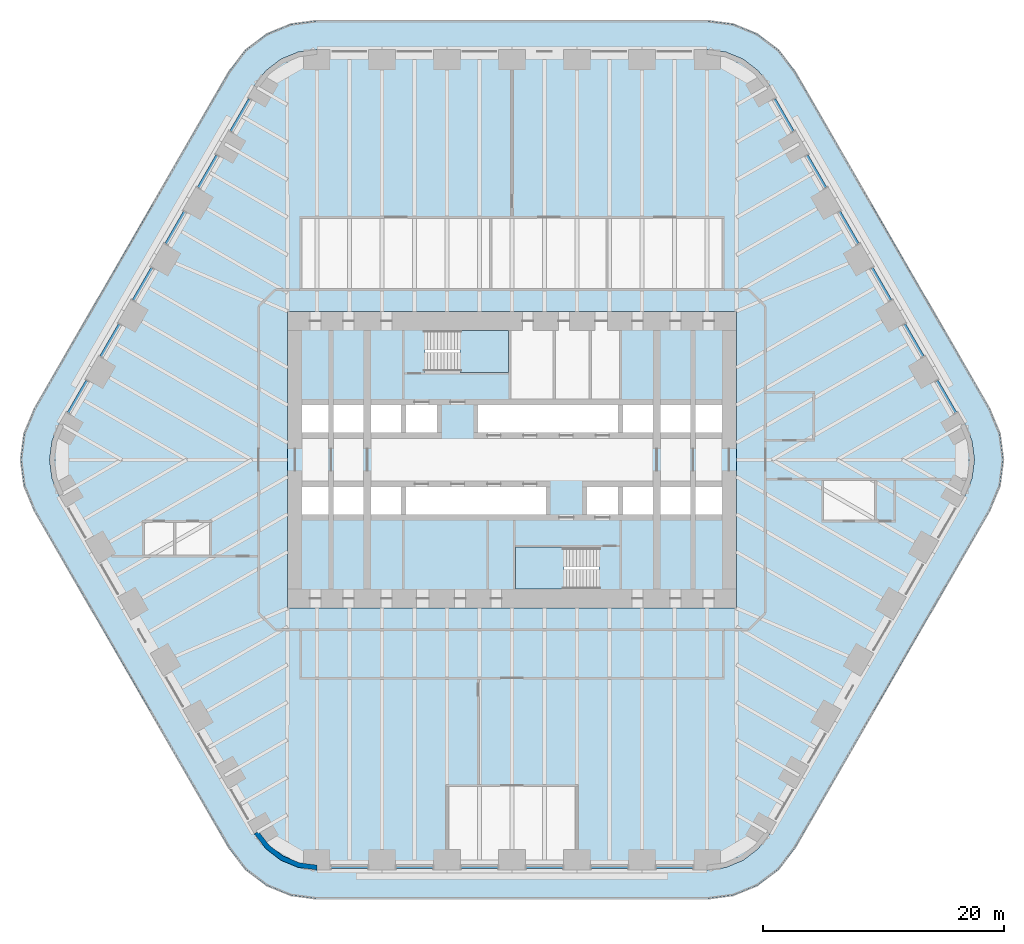
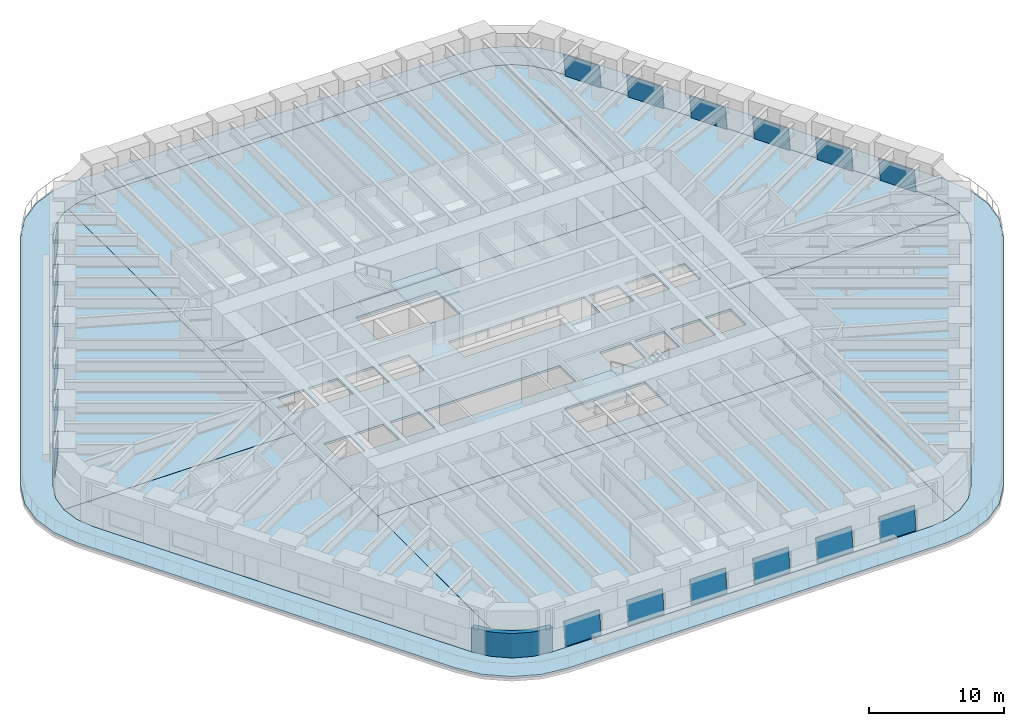
# One storey, part 8 of 16: 18 plates, 10 slabs, 1 wall, 20 elements without a shape of their own.
"""IFC4 building model written with IfcOpenShell, lengths in metres."""

from ifc_helpers import new_model, si_unit, direction, frame, origin, place, context, subcontext, project, spatial, polyline, outline, extrude, material, layer, layer_set, type_object, element, aggregate, save


model = new_model("IFC4")

# Units and contexts
model_context = context("Model", 3, precision=1e-05, world=origin(), true_north=direction((0.0, 1.0)))
body_context = subcontext(model_context, "Body", "Model", "MODEL_VIEW")
ifc_project = project(units=[si_unit("LENGTHUNIT", "METRE"), si_unit("AREAUNIT", "SQUARE_METRE"), si_unit("VOLUMEUNIT", "CUBIC_METRE"), si_unit("PLANEANGLEUNIT", "RADIAN"), si_unit("MASSUNIT", "GRAM", prefix="KILO")], contexts=[model_context])

# Site, building, storey
site_placement = place(None, origin())
site = spatial("IfcSite", under=ifc_project, at=site_placement, CompositionType="ELEMENT")
building_placement = place(site_placement, origin())
building = spatial("IfcBuilding", under=site, at=building_placement, Name="Tarfa Lantern Tower", CompositionType="ELEMENT")
storey_placement = place(building_placement, frame((0.0, 0.0, 103.300048828125)))
storey = spatial("IfcBuildingStorey", under=building, at=storey_placement, Name="L23", CompositionType="ELEMENT", Elevation=103.300048828125)

# Slab
ifc_material_1 = material(Name="Concrete C40/50", Category="concrete")
ifc_layer_1 = layer(ifc_material_1, 0.199951171875)
ifc_layer_set_1 = layer_set([ifc_layer_1], Name="BS2 BALCONY SLAB 200")
slab_type_1 = type_object("IfcSlabType", Name="BS2 BALCONY SLAB 200", PredefinedType="FLOOR", material=ifc_layer_set_1)
slab_1_placement = place(storey_placement, frame((0.0, 0.0, -0.199951171875)))
element("IfcSlab", 1, at=slab_1_placement, inside=storey, type_object=slab_type_1, Name="Balcony L23", PredefinedType="FLOOR", context=body_context, shape_type="SweptSolid", body=[
    extrude(outline(polyline([(39.606201171875, 4.199951171875), (23.4404296875, 32.199951171875), (22.10546875, 33.939697265625), (20.36572265625, 35.274658203125), (18.33984375, 36.11376953125), (16.165771484375, 36.39990234375), (-16.165771484375, 36.39990234375), (-18.33984375, 36.11376953125), (-20.36572265625, 35.274658203125), (-22.10546875, 33.939697265625), (-23.4404296875, 32.199951171875), (-39.606201171875, 4.199951171875), (-40.4453125, 2.174072265625), (-40.731689453125, 0.0), (-40.4453125, -2.174072265625), (-39.606201171875, -4.199951171875), (-23.4404296875, -32.199951171875), (-22.10546875, -33.939697265625), (-20.36572265625, -35.274658203125), (-18.33984375, -36.11376953125), (-16.165771484375, -36.39990234375), (16.165771484375, -36.39990234375), (18.33984375, -36.11376953125), (20.36572265625, -35.274658203125), (22.10546875, -33.939697265625), (23.4404296875, -32.199951171875), (39.606201171875, -4.199951171875), (40.4453125, -2.174072265625), (40.731689453125, 0.0), (40.4453125, 2.174072265625), (39.606201171875, 4.199951171875)]), holes=[polyline([(37.52783203125, 3.0), (21.362060546875, 31.0), (20.408447265625, 32.24267578125), (19.165771484375, 33.196044921875), (17.71875, 33.795654296875), (16.165771484375, 34.0), (-16.165771484375, 34.0), (-17.71875, 33.795654296875), (-19.165771484375, 33.196044921875), (-20.408447265625, 32.24267578125), (-21.362060546875, 31.0), (-37.52783203125, 3.0), (-38.127197265625, 1.552978515625), (-38.33154296875, 0.0), (-38.127197265625, -1.552978515625), (-37.52783203125, -3.0), (-21.362060546875, -31.0), (-20.408447265625, -32.24267578125), (-19.165771484375, -33.196044921875), (-17.71875, -33.795654296875), (-16.165771484375, -34.0), (16.165771484375, -34.0), (17.71875, -33.795654296875), (19.165771484375, -33.196044921875), (20.408447265625, -32.24267578125), (21.362060546875, -31.0), (37.52783203125, -3.0), (38.127197265625, -1.552978515625), (38.33154296875, 0.0), (38.127197265625, 1.552978515625), (37.52783203125, 3.0)])]), origin(), (0.0, 0.0, 1.0), 0.199951171875),
])

# Curtain wall, plate
ifc_material_2 = material(Name="Aluminium framed curtain wall", Category="aluminium")
curtain_wall_type = type_object("IfcCurtainWallType", Name="CW1 CANTED GLAZING LOW ZONE 2200", PredefinedType="USERDEFINED", material=ifc_material_2)
curtain_wall_1_placement = place(storey_placement, origin())
curtain_wall_1 = element("IfcCurtainWall", 2, at=curtain_wall_1_placement, inside=storey, type_object=curtain_wall_type, Name="CW1 NE L23", ObjectType="CURTAIN WALL", PredefinedType="USERDEFINED")
ifc_material_3 = material(Name="Laminated double glazing", Category="glass")
ifc_layer_2 = layer(ifc_material_3, 0.028076171875)
ifc_layer_set_2 = layer_set([ifc_layer_2], Name="CWP1 DOUBLE GLAZED PANEL")
plate_type = type_object("IfcPlateType", Name="CWP1 DOUBLE GLAZED PANEL", PredefinedType="CURTAIN_PANEL", material=ifc_layer_set_2)
plate_1_placement = place(storey_placement, frame((36.858642578125, 3.958984375, 0.0), z_axis=(0.860471770841, 0.496819538441, 0.112954317358), x_axis=(-0.500019572571, 0.86601410326, 0.0)))
plate_1 = element("IfcPlate", 3, at=plate_1_placement, type_object=plate_type, Name="CW1 panel 1.1", PredefinedType="CURTAIN_PANEL", context=body_context, shape_type="SweptSolid", body=[
    extrude(outline(polyline([(0.0, 0.0), (3.05847402559981, -2.7755575615628914e-17), (3.058500354375016, 2.148761447250899), (2.6328775205405885e-05, 2.148761447250899), (0.0, 0.0)])), origin(), (0.0, 0.0, -1.0), 0.028076171875),
])
aggregate(curtain_wall_1, [plate_1])

curtain_wall_2_placement = place(storey_placement, origin())
curtain_wall_2 = element("IfcCurtainWall", 4, at=curtain_wall_2_placement, inside=storey, type_object=curtain_wall_type, Name="CW1 NE L23", ObjectType="CURTAIN WALL", PredefinedType="USERDEFINED")
plate_2_placement = place(storey_placement, frame((34.164306640625, 8.62548828125, 0.0), z_axis=(0.86049400314, 0.496809478379, 0.112829130785), x_axis=(-0.500002070145, 0.86602420858, -2.237105e-06)))
plate_2 = element("IfcPlate", 5, at=plate_2_placement, type_object=plate_type, Name="CW1 panel 1.1", PredefinedType="CURTAIN_PANEL", context=body_context, shape_type="SweptSolid", body=[
    extrude(outline(polyline([(0.0, 0.0), (3.0586854566590844, -2.7755575615628914e-17), (3.0585800331185125, 2.148737574367633), (0.00010600815097635622, 2.148723801693329), (0.0, 0.0)])), origin(), (0.0, 0.0, -1.0), 0.028076171875),
])
aggregate(curtain_wall_2, [plate_2])

curtain_wall_3_placement = place(storey_placement, origin())
curtain_wall_3 = element("IfcCurtainWall", 6, at=curtain_wall_3_placement, inside=storey, type_object=curtain_wall_type, Name="CW1 NE L23", ObjectType="CURTAIN WALL", PredefinedType="USERDEFINED")
plate_3_placement = place(storey_placement, frame((31.469970703125, 13.292236328125, 0.0), z_axis=(0.860501158586, 0.496790714966, 0.112857173439), x_axis=(-0.499985008713, 0.866034058835, 0.0)))
plate_3 = element("IfcPlate", 7, at=plate_3_placement, type_object=plate_type, Name="CW1 panel 1.1", PredefinedType="CURTAIN_PANEL", context=body_context, shape_type="SweptSolid", body=[
    extrude(outline(polyline([(0.0, 0.0), (3.0586854572603066, 2.7755575615628914e-17), (3.058580032517311, 2.148737575223402), (-0.00010542474299522714, 2.148737575223402), (0.0, 0.0)])), origin(), (0.0, 0.0, -1.0), 0.028076171875),
])
aggregate(curtain_wall_3, [plate_3])

curtain_wall_4_placement = place(storey_placement, origin())
curtain_wall_4 = element("IfcCurtainWall", 8, at=curtain_wall_4_placement, inside=storey, type_object=curtain_wall_type, Name="CW1 NE L23", ObjectType="CURTAIN WALL", PredefinedType="USERDEFINED")
plate_4_placement = place(storey_placement, frame((28.77587890625, 17.958984375, 0.0), z_axis=(0.860459378951, 0.496852039768, 0.11290574721), x_axis=(-0.500049886563, 0.865996599839, 3.877344e-06)))
plate_4 = element("IfcPlate", 9, at=plate_4_placement, type_object=plate_type, Name="CW1 panel 1.1", PredefinedType="CURTAIN_PANEL", context=body_context, shape_type="SweptSolid", body=[
    extrude(outline(polyline([(0.0, 0.0), (3.0585961061948703, -2.7755575615628914e-17), (3.0585171266290136, 2.1487375737909162), (4.31029259797703e-05, 2.148761444412674), (0.0, 0.0)])), origin(), (0.0, 0.0, -1.0), 0.028076171875),
])
aggregate(curtain_wall_4, [plate_4])

curtain_wall_5_placement = place(storey_placement, origin())
curtain_wall_5 = element("IfcCurtainWall", 10, at=curtain_wall_5_placement, inside=storey, type_object=curtain_wall_type, Name="CW1 NE L23", ObjectType="CURTAIN WALL", PredefinedType="USERDEFINED")
plate_5_placement = place(storey_placement, frame((26.08154296875, 22.62548828125, 0.0), z_axis=(0.860484445752, 0.496803960384, 0.112926274914), x_axis=(-0.500002069766, 0.866024208798, -2.239006e-06)))
plate_5 = element("IfcPlate", 11, at=plate_5_placement, type_object=plate_type, Name="CW1 panel 1.1", PredefinedType="CURTAIN_PANEL", context=body_context, shape_type="SweptSolid", body=[
    extrude(outline(polyline([(0.0, 0.0), (3.0586854566590977, -2.7755575615628914e-17), (3.058702099771041, 2.1487614464919482), (0.00022807480354497005, 2.1487476619595856), (0.0, 0.0)])), origin(), (0.0, 0.0, -1.0), 0.028076171875),
])
aggregate(curtain_wall_5, [plate_5])

curtain_wall_6_placement = place(storey_placement, origin())
curtain_wall_6 = element("IfcCurtainWall", 12, at=curtain_wall_6_placement, inside=storey, type_object=curtain_wall_type, Name="CW1 NE L23", ObjectType="CURTAIN WALL", PredefinedType="USERDEFINED")
plate_6_placement = place(storey_placement, frame((23.38720703125, 27.292236328125, 0.0), z_axis=(0.860491598664, 0.496785195763, 0.112954317752), x_axis=(-0.499985008713, 0.866034058835, 0.0)))
plate_6 = element("IfcPlate", 13, at=plate_6_placement, type_object=plate_type, Name="CW1 panel 1.1", PredefinedType="CURTAIN_PANEL", context=body_context, shape_type="SweptSolid", body=[
    extrude(outline(polyline([(0.0, 0.0), (3.0586854572603066, 0.0), (3.058702099169829, 2.1487614473477565), (1.6641909522718823e-05, 2.1487614473477565), (0.0, 0.0)])), origin(), (0.0, 0.0, -1.0), 0.028076171875),
])
aggregate(curtain_wall_6, [plate_6])

curtain_wall_7_placement = place(storey_placement, origin())
curtain_wall_7 = element("IfcCurtainWall", 14, at=curtain_wall_7_placement, inside=storey, type_object=curtain_wall_type, Name="CW1 NW L23", ObjectType="CURTAIN WALL", PredefinedType="USERDEFINED")
plate_7_placement = place(storey_placement, frame((-21.85791015625, 29.941162109375, 0.0), z_axis=(-0.860491598664, 0.496785195763, 0.112954317752), x_axis=(-0.499985008713, -0.866034058835, 0.0)))
plate_7 = element("IfcPlate", 15, at=plate_7_placement, type_object=plate_type, Name="CW1 panel 1.1", PredefinedType="CURTAIN_PANEL", context=body_context, shape_type="SweptSolid", body=[
    extrude(outline(polyline([(0.0, 0.0), (3.0586854572603066, 0.0), (3.0586688153507833, 2.1487614473477565), (-1.6641909522718823e-05, 2.1487614473477565), (0.0, 0.0)])), origin(), (0.0, 0.0, -1.0), 0.028076171875),
])
aggregate(curtain_wall_7, [plate_7])

curtain_wall_8_placement = place(storey_placement, origin())
curtain_wall_8 = element("IfcCurtainWall", 16, at=curtain_wall_8_placement, inside=storey, type_object=curtain_wall_type, Name="CW1 NW L23", ObjectType="CURTAIN WALL", PredefinedType="USERDEFINED")
plate_8_placement = place(storey_placement, frame((-24.55224609375, 25.2744140625, 0.0), z_axis=(-0.860484445752, 0.496803960384, 0.112926274914), x_axis=(-0.500002069766, -0.866024208798, 2.239006e-06)))
plate_8 = element("IfcPlate", 17, at=plate_8_placement, type_object=plate_type, Name="CW1 panel 1.1", PredefinedType="CURTAIN_PANEL", context=body_context, shape_type="SweptSolid", body=[
    extrude(outline(polyline([(0.0, 0.0), (3.0586854566590977, 2.7755575615628914e-17), (3.0584573818555523, 2.1487476619595856), (-1.6643111943792906e-05, 2.1487614464919482), (0.0, 0.0)])), origin(), (0.0, 0.0, -1.0), 0.028076171875),
])
aggregate(curtain_wall_8, [plate_8])

curtain_wall_9_placement = place(storey_placement, origin())
curtain_wall_9 = element("IfcCurtainWall", 18, at=curtain_wall_9_placement, inside=storey, type_object=curtain_wall_type, Name="CW1 NW L23", ObjectType="CURTAIN WALL", PredefinedType="USERDEFINED")
plate_9_placement = place(storey_placement, frame((-27.246337890625, 20.607666015625, 0.0), z_axis=(-0.860459378951, 0.496852039768, 0.11290574721), x_axis=(-0.500049886563, -0.865996599839, -3.877344e-06)))
plate_9 = element("IfcPlate", 19, at=plate_9_placement, type_object=plate_type, Name="CW1 panel 1.1", PredefinedType="CURTAIN_PANEL", context=body_context, shape_type="SweptSolid", body=[
    extrude(outline(polyline([(0.0, 0.0), (3.0585961061948703, 2.7755575615628914e-17), (3.0585530032688903, 2.148761444412674), (7.897956585688002e-05, 2.1487375737909162), (0.0, 0.0)])), origin(), (0.0, 0.0, -1.0), 0.028076171875),
])
aggregate(curtain_wall_9, [plate_9])

curtain_wall_10_placement = place(storey_placement, origin())
curtain_wall_10 = element("IfcCurtainWall", 20, at=curtain_wall_10_placement, inside=storey, type_object=curtain_wall_type, Name="CW1 NW L23", ObjectType="CURTAIN WALL", PredefinedType="USERDEFINED")
plate_10_placement = place(storey_placement, frame((-29.940673828125, 15.941162109375, 0.0), z_axis=(-0.860501158586, 0.496790714966, 0.112857173439), x_axis=(-0.499985008713, -0.866034058835, 0.0)))
plate_10 = element("IfcPlate", 21, at=plate_10_placement, type_object=plate_type, Name="CW1 panel 1.1", PredefinedType="CURTAIN_PANEL", context=body_context, shape_type="SweptSolid", body=[
    extrude(outline(polyline([(0.0, 0.0), (3.0586854572603066, -2.7755575615628914e-17), (3.058790882003301, 2.148737575223402), (0.00010542474299522714, 2.148737575223402), (0.0, 0.0)])), origin(), (0.0, 0.0, -1.0), 0.028076171875),
])
aggregate(curtain_wall_10, [plate_10])

curtain_wall_11_placement = place(storey_placement, origin())
curtain_wall_11 = element("IfcCurtainWall", 22, at=curtain_wall_11_placement, inside=storey, type_object=curtain_wall_type, Name="CW1 NW L23", ObjectType="CURTAIN WALL", PredefinedType="USERDEFINED")
plate_11_placement = place(storey_placement, frame((-32.635009765625, 11.2744140625, 0.0), z_axis=(-0.86049400314, 0.496809478379, 0.112829130785), x_axis=(-0.500002070145, -0.86602420858, 2.237105e-06)))
plate_11 = element("IfcPlate", 23, at=plate_11_placement, type_object=plate_type, Name="CW1 panel 1.1", PredefinedType="CURTAIN_PANEL", context=body_context, shape_type="SweptSolid", body=[
    extrude(outline(polyline([(0.0, 0.0), (3.0586854566590844, 2.7755575615628914e-17), (3.058579448508108, 2.148723801693329), (0.00010542354057140532, 2.148737574367633), (0.0, 0.0)])), origin(), (0.0, 0.0, -1.0), 0.028076171875),
])
aggregate(curtain_wall_11, [plate_11])

curtain_wall_12_placement = place(storey_placement, origin())
curtain_wall_12 = element("IfcCurtainWall", 24, at=curtain_wall_12_placement, inside=storey, type_object=curtain_wall_type, Name="CW1 NW L23", ObjectType="CURTAIN WALL", PredefinedType="USERDEFINED")
plate_12_placement = place(storey_placement, frame((-35.329345703125, 6.607666015625, 0.0), z_axis=(-0.860471770841, 0.496819538441, 0.112954317358), x_axis=(-0.500019572571, -0.86601410326, 0.0)))
plate_12 = element("IfcPlate", 25, at=plate_12_placement, type_object=plate_type, Name="CW1 panel 1.1", PredefinedType="CURTAIN_PANEL", context=body_context, shape_type="SweptSolid", body=[
    extrude(outline(polyline([(0.0, 0.0), (3.05847402559981, 2.7755575615628914e-17), (3.058447696824605, 2.148761447250899), (-2.6328775205405885e-05, 2.148761447250899), (0.0, 0.0)])), origin(), (0.0, 0.0, -1.0), 0.028076171875),
])
aggregate(curtain_wall_12, [plate_12])

curtain_wall_13_placement = place(storey_placement, origin())
curtain_wall_13 = element("IfcCurtainWall", 26, at=curtain_wall_13_placement, inside=storey, type_object=curtain_wall_type, Name="CW1 S L23", ObjectType="CURTAIN WALL", PredefinedType="USERDEFINED")
plate_13_placement = place(storey_placement, frame((-15.000732421875, -33.89990234375, 0.0), z_axis=(0.0, -0.993614811376, 0.112825558341), x_axis=(1.0, 0.0, 0.0)))
plate_13 = element("IfcPlate", 27, at=plate_13_placement, type_object=plate_type, Name="CW1 panel 1.1", PredefinedType="CURTAIN_PANEL", context=body_context, shape_type="SweptSolid", body=[
    extrude(outline(polyline([(0.0, 0.0), (3.05859375, 0.0), (3.05859375, 2.148729810769667), (0.0, 2.148729810769667), (0.0, 0.0)])), origin(), (0.0, 0.0, -1.0), 0.028076171875),
])
aggregate(curtain_wall_13, [plate_13])

curtain_wall_14_placement = place(storey_placement, origin())
curtain_wall_14 = element("IfcCurtainWall", 28, at=curtain_wall_14_placement, inside=storey, type_object=curtain_wall_type, Name="CW1 S L23", ObjectType="CURTAIN WALL", PredefinedType="USERDEFINED")
plate_14_placement = place(storey_placement, frame((-9.6123046875, -33.89990234375, 0.0), z_axis=(0.0, -0.993614811376, 0.112825558341), x_axis=(1.0, 0.0, 0.0)))
plate_14 = element("IfcPlate", 29, at=plate_14_placement, type_object=plate_type, Name="CW1 panel 1.1", PredefinedType="CURTAIN_PANEL", context=body_context, shape_type="SweptSolid", body=[
    extrude(outline(polyline([(0.0, 0.0), (3.05859375, 0.0), (3.05859375, 2.148729810769667), (0.0, 2.148729810769667), (0.0, 0.0)])), origin(), (0.0, 0.0, -1.0), 0.028076171875),
])
aggregate(curtain_wall_14, [plate_14])

curtain_wall_15_placement = place(storey_placement, origin())
curtain_wall_15 = element("IfcCurtainWall", 30, at=curtain_wall_15_placement, inside=storey, type_object=curtain_wall_type, Name="CW1 S L23", ObjectType="CURTAIN WALL", PredefinedType="USERDEFINED")
plate_15_placement = place(storey_placement, frame((-4.2236328125, -33.89990234375, 0.0), z_axis=(0.0, -0.993614811376, 0.112825558341), x_axis=(1.0, 0.0, 0.0)))
plate_15 = element("IfcPlate", 31, at=plate_15_placement, type_object=plate_type, Name="CW1 panel 1.1", PredefinedType="CURTAIN_PANEL", context=body_context, shape_type="SweptSolid", body=[
    extrude(outline(polyline([(0.0, 0.0), (3.05859375, 0.0), (3.05859375, 2.148729810769667), (0.0, 2.148729810769667), (0.0, 0.0)])), origin(), (0.0, 0.0, -1.0), 0.028076171875),
])
aggregate(curtain_wall_15, [plate_15])

curtain_wall_16_placement = place(storey_placement, origin())
curtain_wall_16 = element("IfcCurtainWall", 32, at=curtain_wall_16_placement, inside=storey, type_object=curtain_wall_type, Name="CW1 S L23", ObjectType="CURTAIN WALL", PredefinedType="USERDEFINED")
plate_16_placement = place(storey_placement, frame((1.1650390625, -33.89990234375, 0.0), z_axis=(0.0, -0.993614811376, 0.112825558341), x_axis=(1.0, 0.0, 0.0)))
plate_16 = element("IfcPlate", 33, at=plate_16_placement, type_object=plate_type, Name="CW1 panel 1.1", PredefinedType="CURTAIN_PANEL", context=body_context, shape_type="SweptSolid", body=[
    extrude(outline(polyline([(0.0, 0.0), (3.05859375, 0.0), (3.05859375, 2.148729810769667), (0.0, 2.148729810769667), (0.0, 0.0)])), origin(), (0.0, 0.0, -1.0), 0.028076171875),
])
aggregate(curtain_wall_16, [plate_16])

curtain_wall_17_placement = place(storey_placement, origin())
curtain_wall_17 = element("IfcCurtainWall", 34, at=curtain_wall_17_placement, inside=storey, type_object=curtain_wall_type, Name="CW1 S L23", ObjectType="CURTAIN WALL", PredefinedType="USERDEFINED")
plate_17_placement = place(storey_placement, frame((6.5537109375, -33.89990234375, 0.0), z_axis=(0.0, -0.993614811376, 0.112825558341), x_axis=(1.0, 0.0, 0.0)))
plate_17 = element("IfcPlate", 35, at=plate_17_placement, type_object=plate_type, Name="CW1 panel 1.1", PredefinedType="CURTAIN_PANEL", context=body_context, shape_type="SweptSolid", body=[
    extrude(outline(polyline([(0.0, 0.0), (3.05859375, 0.0), (3.05859375, 2.148729810769667), (0.0, 2.148729810769667), (0.0, 0.0)])), origin(), (0.0, 0.0, -1.0), 0.028076171875),
])
aggregate(curtain_wall_17, [plate_17])

curtain_wall_18_placement = place(storey_placement, origin())
curtain_wall_18 = element("IfcCurtainWall", 36, at=curtain_wall_18_placement, inside=storey, type_object=curtain_wall_type, Name="CW1 S L23", ObjectType="CURTAIN WALL", PredefinedType="USERDEFINED")
plate_18_placement = place(storey_placement, frame((11.942138671875, -33.89990234375, 0.0), z_axis=(0.0, -0.993614811376, 0.112825558341), x_axis=(1.0, 0.0, 0.0)))
plate_18 = element("IfcPlate", 37, at=plate_18_placement, type_object=plate_type, Name="CW1 panel 1.1", PredefinedType="CURTAIN_PANEL", context=body_context, shape_type="SweptSolid", body=[
    extrude(outline(polyline([(0.0, 0.0), (3.05859375, 0.0), (3.05859375, 2.148729810769667), (0.0, 2.148729810769667), (0.0, 0.0)])), origin(), (0.0, 0.0, -1.0), 0.028076171875),
])
aggregate(curtain_wall_18, [plate_18])

# Slabs
ifc_layer_3 = layer(ifc_material_1, 0.199951171875)
ifc_layer_set_3 = layer_set([ifc_layer_3], Name="FS1 FLOOR SLAB 200")
slab_type_2 = type_object("IfcSlabType", Name="FS1 FLOOR SLAB 200", PredefinedType="FLOOR", material=ifc_layer_set_3)
slab_2_placement = place(storey_placement, frame((0.0, 0.0, -0.199951171875)))
element("IfcSlab", 38, at=slab_2_placement, inside=storey, type_object=slab_type_2, Name="Floor slab L23", PredefinedType="FLOOR", context=body_context, shape_type="SweptSolid", body=[
    extrude(outline(polyline([(-18.60009765625, -12.300048828125), (18.60009765625, -12.300048828125), (18.60009765625, 12.300048828125), (-18.60009765625, 12.300048828125), (-18.60009765625, -12.300048828125)]), holes=[polyline([(-17.39990234375, 2.25), (-15.199951171875, 2.25), (-15.199951171875, 4.550048828125), (-17.39990234375, 4.550048828125), (-17.39990234375, 2.25)]), polyline([(-14.800048828125, 2.25), (-12.300048828125, 2.25), (-12.300048828125, 4.550048828125), (-14.800048828125, 4.550048828125), (-14.800048828125, 2.25)]), polyline([(-11.699951171875, 2.25), (-9.199951171875, 2.25), (-9.199951171875, 4.550048828125), (-11.699951171875, 4.550048828125), (-11.699951171875, 2.25)]), polyline([(-8.800048828125, 2.25), (-6.199951171875, 2.25), (-6.199951171875, 4.550048828125), (-8.800048828125, 4.550048828125), (-8.800048828125, 2.25)]), polyline([(-2.800048828125, 2.25), (8.800048828125, 2.25), (8.800048828125, 4.550048828125), (-2.800048828125, 4.550048828125), (-2.800048828125, 2.25)]), polyline([(9.199951171875, 2.25), (11.699951171875, 2.25), (11.699951171875, 4.550048828125), (9.199951171875, 4.550048828125), (9.199951171875, 2.25)]), polyline([(12.300048828125, 2.25), (14.800048828125, 2.25), (14.800048828125, 4.550048828125), (12.300048828125, 4.550048828125), (12.300048828125, 2.25)]), polyline([(15.199951171875, 2.25), (17.39990234375, 2.25), (17.39990234375, 4.550048828125), (15.199951171875, 4.550048828125), (15.199951171875, 2.25)]), polyline([(17.39990234375, -2.25), (15.199951171875, -2.25), (15.199951171875, -4.550048828125), (17.39990234375, -4.550048828125), (17.39990234375, -2.25)]), polyline([(14.800048828125, -2.25), (12.300048828125, -2.25), (12.300048828125, -4.550048828125), (14.800048828125, -4.550048828125), (14.800048828125, -2.25)]), polyline([(11.699951171875, -2.25), (9.199951171875, -2.25), (9.199951171875, -4.550048828125), (11.699951171875, -4.550048828125), (11.699951171875, -2.25)]), polyline([(8.800048828125, -2.25), (6.199951171875, -2.25), (6.199951171875, -4.550048828125), (8.800048828125, -4.550048828125), (8.800048828125, -2.25)]), polyline([(2.800048828125, -2.25), (-8.800048828125, -2.25), (-8.800048828125, -4.550048828125), (2.800048828125, -4.550048828125), (2.800048828125, -2.25)]), polyline([(-9.199951171875, -2.25), (-11.699951171875, -2.25), (-11.699951171875, -4.550048828125), (-9.199951171875, -4.550048828125), (-9.199951171875, -2.25)]), polyline([(-12.300048828125, -2.25), (-14.800048828125, -2.25), (-14.800048828125, -4.550048828125), (-12.300048828125, -4.550048828125), (-12.300048828125, -2.25)]), polyline([(-15.199951171875, -2.25), (-17.39990234375, -2.25), (-17.39990234375, -4.550048828125), (-15.199951171875, -4.550048828125), (-15.199951171875, -2.25)]), polyline([(-7.199951171875, 7.25), (-0.300048828125, 7.25), (-0.300048828125, 10.699951171875), (-7.199951171875, 10.699951171875), (-7.199951171875, 7.25)]), polyline([(7.199951171875, -7.25), (0.300048828125, -7.25), (0.300048828125, -10.699951171875), (7.199951171875, -10.699951171875), (7.199951171875, -7.25)])]), origin(), (0.0, 0.0, 1.0), 0.199951171875),
])
slab_3_placement = place(storey_placement, frame((0.0, 0.0, -0.199951171875)))
element("IfcSlab", 39, at=slab_3_placement, inside=storey, type_object=slab_type_2, Name="Floor slab L23 NE bay", PredefinedType="FLOOR", context=body_context, shape_type="SweptSolid", body=[
    extrude(outline(polyline([(37.52587890625, 2.9990234375), (21.3603515625, 30.998779296875), (20.406982421875, 32.2412109375), (19.164794921875, 33.1943359375), (18.64697265625, 33.408935546875), (18.60205078125, 12.300048828125), (18.60205078125, 0.001953125), (38.329345703125, 0.001953125), (38.125244140625, 1.552490234375), (37.52587890625, 2.9990234375)])), origin(), (0.0, 0.0, 1.0), 0.199951171875),
])
slab_4_placement = place(storey_placement, frame((0.0, 0.0, -0.199951171875)))
element("IfcSlab", 40, at=slab_4_placement, inside=storey, type_object=slab_type_2, Name="Floor slab L23 N bay", PredefinedType="FLOOR", context=body_context, shape_type="SweptSolid", body=[
    extrude(outline(polyline([(-18.597900390625, 12.302001953125), (18.597900390625, 12.302001953125), (18.64306640625, 33.41064453125), (17.71826171875, 33.793701171875), (16.165771484375, 33.998046875), (-16.165771484375, 33.998046875), (-17.71826171875, 33.793701171875), (-18.64306640625, 33.41064453125), (-18.597900390625, 12.302001953125)])), origin(), (0.0, 0.0, 1.0), 0.199951171875),
])
slab_5_placement = place(storey_placement, frame((0.0, 0.0, -0.199951171875)))
element("IfcSlab", 41, at=slab_5_placement, inside=storey, type_object=slab_type_2, Name="Floor slab L23 NW bay", PredefinedType="FLOOR", context=body_context, shape_type="SweptSolid", body=[
    extrude(outline(polyline([(-18.60205078125, 0.001953125), (-18.60205078125, 12.300048828125), (-18.64697265625, 33.408935546875), (-19.164794921875, 33.1943359375), (-20.406982421875, 32.2412109375), (-21.3603515625, 30.998779296875), (-37.52587890625, 2.9990234375), (-38.125244140625, 1.552490234375), (-38.329345703125, 0.001953125), (-18.60205078125, 0.001953125)])), origin(), (0.0, 0.0, 1.0), 0.199951171875),
])
slab_6_placement = place(storey_placement, frame((0.0, 0.0, -0.199951171875)))
element("IfcSlab", 42, at=slab_6_placement, inside=storey, type_object=slab_type_2, Name="Floor slab L23 SW bay", PredefinedType="FLOOR", context=body_context, shape_type="SweptSolid", body=[
    extrude(outline(polyline([(-18.60205078125, -12.300048828125), (-18.60205078125, -0.001953125), (-38.329345703125, -0.001953125), (-38.125244140625, -1.552490234375), (-37.52587890625, -2.9990234375), (-21.3603515625, -30.998779296875), (-20.406982421875, -32.2412109375), (-19.164794921875, -33.1943359375), (-18.64697265625, -33.408935546875), (-18.60205078125, -12.300048828125)])), origin(), (0.0, 0.0, 1.0), 0.199951171875),
])
slab_7_placement = place(storey_placement, frame((0.0, 0.0, -0.199951171875)))
element("IfcSlab", 43, at=slab_7_placement, inside=storey, type_object=slab_type_2, Name="Floor slab L23 S bay", PredefinedType="FLOOR", context=body_context, shape_type="SweptSolid", body=[
    extrude(outline(polyline([(18.597900390625, -12.302001953125), (-18.597900390625, -12.302001953125), (-18.64306640625, -33.41064453125), (-17.71826171875, -33.793701171875), (-16.165771484375, -33.998046875), (16.165771484375, -33.998046875), (17.71826171875, -33.793701171875), (18.64306640625, -33.41064453125), (18.597900390625, -12.302001953125)])), origin(), (0.0, 0.0, 1.0), 0.199951171875),
])
slab_8_placement = place(storey_placement, frame((0.0, 0.0, -0.199951171875)))
element("IfcSlab", 44, at=slab_8_placement, inside=storey, type_object=slab_type_2, Name="Floor slab L23 SE bay", PredefinedType="FLOOR", context=body_context, shape_type="SweptSolid", body=[
    extrude(outline(polyline([(18.60205078125, -0.001953125), (18.60205078125, -12.300048828125), (18.64697265625, -33.408935546875), (19.164794921875, -33.1943359375), (20.406982421875, -32.2412109375), (21.3603515625, -30.998779296875), (37.52587890625, -2.9990234375), (38.125244140625, -1.552490234375), (38.329345703125, -0.001953125), (18.60205078125, -0.001953125)])), origin(), (0.0, 0.0, 1.0), 0.199951171875),
])

# Stair, slab
stair_type = type_object("IfcStairType", Name="ST-T10 HALF-TURN STAIR 4200 RISE", PredefinedType="HALF_TURN_STAIR", material=ifc_material_1)
stair_1_placement = place(storey_placement, origin())
stair_1 = element("IfcStair", 45, at=stair_1_placement, inside=storey, type_object=stair_type, Name="Stair ST1", PredefinedType="HALF_TURN_STAIR")
ifc_layer_4 = layer(ifc_material_1, 0.199951171875)
ifc_layer_set_4 = layer_set([ifc_layer_4], Name="SL1 STAIR LANDING 200")
slab_type_3 = type_object("IfcSlabType", Name="SL1 STAIR LANDING 200", PredefinedType="LANDING", material=ifc_layer_set_4)
slab_9_placement = place(storey_placement, frame((0.0, 0.0, 1.89990234375)))
slab_9 = element("IfcSlab", 46, at=slab_9_placement, type_object=slab_type_3, Name="ST1 landing 1", PredefinedType="LANDING", context=body_context, shape_type="SweptSolid", body=[
    extrude(outline(polyline([(-4.320068359375, 7.25), (-0.300048828125, 7.25), (-0.300048828125, 10.699951171875), (-4.320068359375, 10.699951171875), (-4.320068359375, 7.25)])), origin(), (0.0, 0.0, 1.0), 0.199951171875),
])
aggregate(stair_1, [slab_9])

stair_2_placement = place(storey_placement, origin())
stair_2 = element("IfcStair", 47, at=stair_2_placement, inside=storey, type_object=stair_type, Name="Stair ST2", PredefinedType="HALF_TURN_STAIR")
slab_10_placement = place(storey_placement, frame((0.0, 0.0, 1.89990234375)))
slab_10 = element("IfcSlab", 48, at=slab_10_placement, type_object=slab_type_3, Name="ST2 landing 1", PredefinedType="LANDING", context=body_context, shape_type="SweptSolid", body=[
    extrude(outline(polyline([(4.320068359375, -7.25), (0.300048828125, -7.25), (0.300048828125, -10.699951171875), (4.320068359375, -10.699951171875), (4.320068359375, -7.25)])), origin(), (0.0, 0.0, 1.0), 0.199951171875),
])
aggregate(stair_2, [slab_10])

# Wall
ifc_material_4 = material(Name="Limestone cladding on blockwork", Category="masonry")
ifc_layer_5 = layer(ifc_material_4, 0.39990234375)
ifc_layer_set_5 = layer_set([ifc_layer_5], Name="EW2 CURVED STONE CORNER 400")
wall_type = type_object("IfcWallType", Name="EW2 CURVED STONE CORNER 400", PredefinedType="SOLIDWALL", material=ifc_layer_set_5)
wall_placement = place(storey_placement, origin())
element("IfcWall", 49, at=wall_placement, inside=storey, type_object=wall_type, Name="Stone corner SW-S", PredefinedType="SOLIDWALL", context=body_context, shape_type="SweptSolid", body=[
    extrude(outline(polyline([(-21.362060546875, -31.0), (-20.408447265625, -32.24267578125), (-19.165771484375, -33.196044921875), (-17.71875, -33.795654296875), (-16.165771484375, -34.0), (-16.165771484375, -33.60009765625), (-17.615234375, -33.4091796875), (-18.9658203125, -32.849853515625), (-20.12548828125, -31.959716796875), (-21.015625, -30.800048828125), (-21.362060546875, -31.0)])), origin(), (0.0, 0.0, 1.0), 2.199951171875),
])

save(model, "model.ifc")
